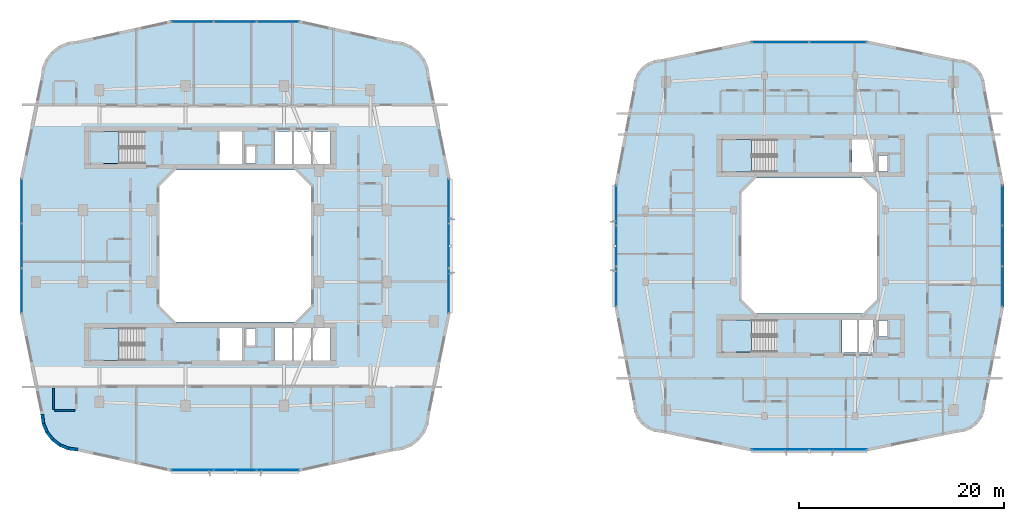
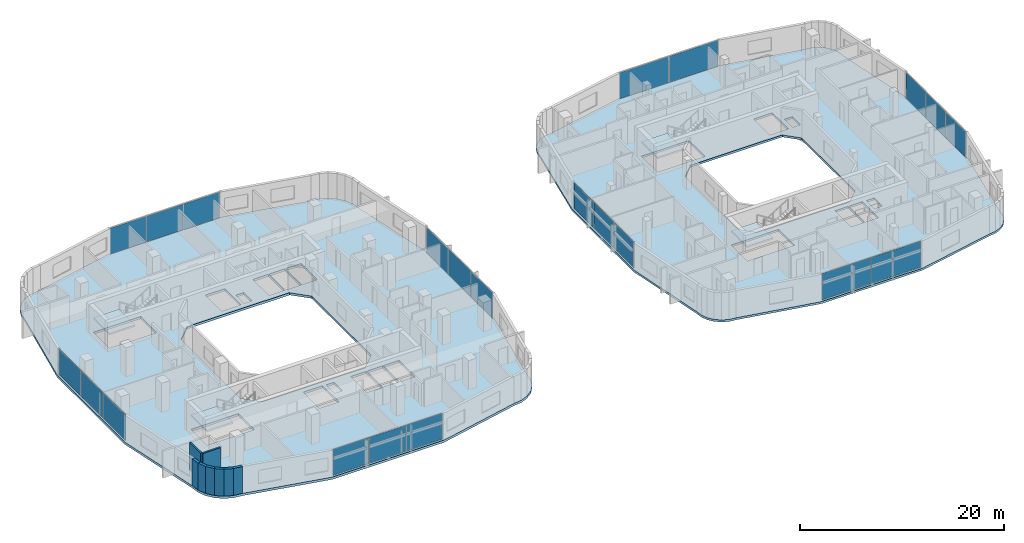
# One storey, part 12 of 27: 22 plates, 8 walls, 6 slabs, 12 elements without a shape of their own.
"""IFC4 building model written with IfcOpenShell, lengths in metres."""

from ifc_helpers import new_model, si_unit, derived_unit, direction, frame, frame_2d, origin, origin_2d, place, context, subcontext, project, spatial, polyline, rectangle, outline, extrude, material, layer, layer_set, type_object, element, aggregate, save


model = new_model("IFC4")

# Units and contexts
model_context = context("Model", 3, precision=1e-05, world=origin(), true_north=direction((0.0, 1.0)))
body_context = subcontext(model_context, "Body", "Model", "MODEL_VIEW")
ifc_project = project(units=[si_unit("LENGTHUNIT", "METRE"), si_unit("AREAUNIT", "SQUARE_METRE"), si_unit("VOLUMEUNIT", "CUBIC_METRE"), si_unit("PLANEANGLEUNIT", "RADIAN"), si_unit("MASSUNIT", "GRAM", prefix="KILO"), derived_unit("THERMALTRANSMITTANCEUNIT", [(si_unit("POWERUNIT", "WATT"), 1), (si_unit("LENGTHUNIT", "METRE"), -2), (si_unit("THERMODYNAMICTEMPERATUREUNIT", "KELVIN"), -1)])], contexts=[model_context])

# Site, building, storey
site_placement = place(None, origin())
site = spatial("IfcSite", under=ifc_project, at=site_placement, CompositionType="ELEMENT")
building_placement = place(site_placement, origin())
building = spatial("IfcBuilding", under=site, at=building_placement, Name="Kivonza Crest Hotel", CompositionType="ELEMENT")
storey_placement = place(building_placement, frame((0.0, 0.0, 76.5)))
storey = spatial("IfcBuildingStorey", under=building, at=storey_placement, Name="L20", CompositionType="ELEMENT", Elevation=76.5)

# Curtain wall, plates
ifc_material_1 = material(Name="Anodised bronze aluminium and low-E double glazing", Category="aluminium")
ifc_layer_1 = layer(ifc_material_1, 0.179931640625)
ifc_layer_set_1 = layer_set([ifc_layer_1], Name="Anodised bronze aluminium and low-E double glazing")
curtain_wall_type_1 = type_object("IfcCurtainWallType", Name="CW-SYS-2", PredefinedType="NOTDEFINED", material=ifc_layer_set_1)
curtain_wall_1_placement = place(storey_placement, origin())
curtain_wall_1 = element("IfcCurtainWall", 1, at=curtain_wall_1_placement, inside=storey, type_object=curtain_wall_type_1, Name="L20 unitised curtain wall CW-T1-L20-08", PredefinedType="NOTDEFINED")
ifc_material_2 = material(Name="Solar-control low-E double glazing", Category="glass")
ifc_layer_2 = layer(ifc_material_2, 0.028076171875)
ifc_layer_set_2 = layer_set([ifc_layer_2], Name="Solar-control low-E double glazing")
plate_type = type_object("IfcPlateType", Name="CW-PNL-28", PredefinedType="CURTAIN_PANEL", material=ifc_layer_set_2)
plate_1_placement = place(storey_placement, frame((16.890869140625, 3.159912109375, 0.06494140625), z_axis=(0.0, 0.0, 1.0), x_axis=(1.0, 0.0, 0.0)))
plate_1 = element("IfcPlate", 2, at=plate_1_placement, type_object=plate_type, Name="CW-2 panel 1.1", PredefinedType="CURTAIN_PANEL", context=body_context, shape_type="SweptSolid", body=[
    extrude(rectangle(XDim=4.06787109375, YDim=0.028076171875, at=origin_2d()), origin(), (0.0, 0.0, 1.0), 3.090087890625),
])
plate_2_placement = place(storey_placement, frame((21.0400390625, 3.159912109375, 0.06494140625), z_axis=(0.0, 0.0, 1.0), x_axis=(1.0, 0.0, 0.0)))
plate_2 = element("IfcPlate", 3, at=plate_2_placement, type_object=plate_type, Name="CW-2 panel 2.1", PredefinedType="CURTAIN_PANEL", context=body_context, shape_type="SweptSolid", body=[
    extrude(rectangle(XDim=4.100341796875, YDim=0.028076171875, at=origin_2d()), origin(), (0.0, 0.0, 1.0), 3.090087890625),
])
plate_3_placement = place(storey_placement, frame((25.18896484375, 3.159912109375, 0.06494140625), z_axis=(0.0, 0.0, 1.0), x_axis=(1.0, 0.0, 0.0)))
plate_3 = element("IfcPlate", 4, at=plate_3_placement, type_object=plate_type, Name="CW-2 panel 3.1", PredefinedType="CURTAIN_PANEL", context=body_context, shape_type="SweptSolid", body=[
    extrude(rectangle(XDim=4.06787109375, YDim=0.028076171875, at=origin_2d()), origin(), (0.0, 0.0, 1.0), 3.090087890625),
])
aggregate(curtain_wall_1, [plate_1, plate_2, plate_3])

curtain_wall_2_placement = place(storey_placement, origin())
curtain_wall_2 = element("IfcCurtainWall", 5, at=curtain_wall_2_placement, inside=storey, type_object=curtain_wall_type_1, Name="L20 unitised curtain wall CW-T1-L20-17", PredefinedType="NOTDEFINED")
plate_4_placement = place(storey_placement, frame((41.840087890625, 20.642822265625, 0.06494140625), z_axis=(0.0, 0.0, 1.0), x_axis=(0.0, 1.0, 0.0)))
plate_4 = element("IfcPlate", 6, at=plate_4_placement, type_object=plate_type, Name="CW-2 panel 1.1", PredefinedType="CURTAIN_PANEL", context=body_context, shape_type="SweptSolid", body=[
    extrude(rectangle(XDim=4.27587890625, YDim=0.028076171875, at=origin_2d()), origin(), (0.0, 0.0, 1.0), 3.090087890625),
])
plate_5_placement = place(storey_placement, frame((41.840087890625, 25.0, 0.06494140625), z_axis=(0.0, 0.0, 1.0), x_axis=(0.0, 1.0, 0.0)))
plate_5 = element("IfcPlate", 7, at=plate_5_placement, type_object=plate_type, Name="CW-2 panel 2.1", PredefinedType="CURTAIN_PANEL", context=body_context, shape_type="SweptSolid", body=[
    extrude(rectangle(XDim=4.308349609375, YDim=0.028076171875, at=origin_2d()), origin(), (0.0, 0.0, 1.0), 3.090087890625),
])
plate_6_placement = place(storey_placement, frame((41.840087890625, 29.357177734375, 0.06494140625), z_axis=(0.0, 0.0, 1.0), x_axis=(0.0, 1.0, 0.0)))
plate_6 = element("IfcPlate", 8, at=plate_6_placement, type_object=plate_type, Name="CW-2 panel 3.1", PredefinedType="CURTAIN_PANEL", context=body_context, shape_type="SweptSolid", body=[
    extrude(rectangle(XDim=4.27587890625, YDim=0.028076171875, at=origin_2d()), origin(), (0.0, 0.0, 1.0), 3.090087890625),
])
aggregate(curtain_wall_2, [plate_4, plate_5, plate_6])

curtain_wall_3_placement = place(storey_placement, origin())
curtain_wall_3 = element("IfcCurtainWall", 9, at=curtain_wall_3_placement, inside=storey, type_object=curtain_wall_type_1, Name="L20 unitised curtain wall CW-T1-L20-26", PredefinedType="NOTDEFINED")
plate_7_placement = place(storey_placement, frame((25.18896484375, 46.840087890625, 0.06494140625), z_axis=(0.0, 0.0, 1.0), x_axis=(-1.0, 0.0, 0.0)))
plate_7 = element("IfcPlate", 10, at=plate_7_placement, type_object=plate_type, Name="CW-2 panel 1.1", PredefinedType="CURTAIN_PANEL", context=body_context, shape_type="SweptSolid", body=[
    extrude(rectangle(XDim=4.06787109375, YDim=0.028076171875, at=origin_2d()), origin(), (0.0, 0.0, 1.0), 3.090087890625),
])
plate_8_placement = place(storey_placement, frame((21.0400390625, 46.840087890625, 0.06494140625), z_axis=(0.0, 0.0, 1.0), x_axis=(-1.0, 0.0, 0.0)))
plate_8 = element("IfcPlate", 11, at=plate_8_placement, type_object=plate_type, Name="CW-2 panel 2.1", PredefinedType="CURTAIN_PANEL", context=body_context, shape_type="SweptSolid", body=[
    extrude(rectangle(XDim=4.100341796875, YDim=0.028076171875, at=origin_2d()), origin(), (0.0, 0.0, 1.0), 3.090087890625),
])
plate_9_placement = place(storey_placement, frame((16.890869140625, 46.840087890625, 0.06494140625), z_axis=(0.0, 0.0, 1.0), x_axis=(-1.0, 0.0, 0.0)))
plate_9 = element("IfcPlate", 12, at=plate_9_placement, type_object=plate_type, Name="CW-2 panel 3.1", PredefinedType="CURTAIN_PANEL", context=body_context, shape_type="SweptSolid", body=[
    extrude(rectangle(XDim=4.06787109375, YDim=0.028076171875, at=origin_2d()), origin(), (0.0, 0.0, 1.0), 3.090087890625),
])
aggregate(curtain_wall_3, [plate_7, plate_8, plate_9])

curtain_wall_4_placement = place(storey_placement, origin())
curtain_wall_4 = element("IfcCurtainWall", 13, at=curtain_wall_4_placement, inside=storey, type_object=curtain_wall_type_1, Name="L20 unitised curtain wall CW-T1-L20-35", PredefinedType="NOTDEFINED")
plate_10_placement = place(storey_placement, frame((0.239990234375, 29.357177734375, 0.06494140625), z_axis=(0.0, 0.0, 1.0), x_axis=(0.0, -1.0, 0.0)))
plate_10 = element("IfcPlate", 14, at=plate_10_placement, type_object=plate_type, Name="CW-2 panel 1.1", PredefinedType="CURTAIN_PANEL", context=body_context, shape_type="SweptSolid", body=[
    extrude(rectangle(XDim=4.27587890625, YDim=0.028076171875, at=origin_2d()), origin(), (0.0, 0.0, 1.0), 3.090087890625),
])
plate_11_placement = place(storey_placement, frame((0.239990234375, 25.0, 0.06494140625), z_axis=(0.0, 0.0, 1.0), x_axis=(0.0, -1.0, 0.0)))
plate_11 = element("IfcPlate", 15, at=plate_11_placement, type_object=plate_type, Name="CW-2 panel 2.1", PredefinedType="CURTAIN_PANEL", context=body_context, shape_type="SweptSolid", body=[
    extrude(rectangle(XDim=4.308349609375, YDim=0.028076171875, at=origin_2d()), origin(), (0.0, 0.0, 1.0), 3.090087890625),
])
plate_12_placement = place(storey_placement, frame((0.239990234375, 20.642822265625, 0.06494140625), z_axis=(0.0, 0.0, 1.0), x_axis=(0.0, -1.0, 0.0)))
plate_12 = element("IfcPlate", 16, at=plate_12_placement, type_object=plate_type, Name="CW-2 panel 3.1", PredefinedType="CURTAIN_PANEL", context=body_context, shape_type="SweptSolid", body=[
    extrude(rectangle(XDim=4.27587890625, YDim=0.028076171875, at=origin_2d()), origin(), (0.0, 0.0, 1.0), 3.090087890625),
])
aggregate(curtain_wall_4, [plate_10, plate_11, plate_12])

ifc_layer_3 = layer(ifc_material_1, 0.179931640625)
ifc_layer_set_3 = layer_set([ifc_layer_3], Name="Anodised bronze aluminium and low-E double glazing")
curtain_wall_type_2 = type_object("IfcCurtainWallType", Name="CW-SYS-4", PredefinedType="NOTDEFINED", material=ifc_layer_set_3)
curtain_wall_5_placement = place(storey_placement, origin())
curtain_wall_5 = element("IfcCurtainWall", 17, at=curtain_wall_5_placement, inside=storey, type_object=curtain_wall_type_2, Name="L20 unitised curtain wall CW-T2-L20-08", PredefinedType="NOTDEFINED")
plate_13_placement = place(storey_placement, frame((74.15234375, 5.159912109375, 0.06494140625), z_axis=(0.0, 0.0, 1.0), x_axis=(1.0, 0.0, 0.0)))
plate_13 = element("IfcPlate", 18, at=plate_13_placement, type_object=plate_type, Name="CW-4 panel 1.1", PredefinedType="CURTAIN_PANEL", context=body_context, shape_type="SweptSolid", body=[
    extrude(rectangle(XDim=5.550537109375, YDim=0.028076171875, at=origin_2d()), origin(), (0.0, 0.0, 1.0), 3.1201171875),
])
plate_14_placement = place(storey_placement, frame((79.767822265625, 5.159912109375, 0.06494140625), z_axis=(0.0, 0.0, 1.0), x_axis=(1.0, 0.0, 0.0)))
plate_14 = element("IfcPlate", 19, at=plate_14_placement, type_object=plate_type, Name="CW-4 panel 2.1", PredefinedType="CURTAIN_PANEL", context=body_context, shape_type="SweptSolid", body=[
    extrude(rectangle(XDim=5.550537109375, YDim=0.028076171875, at=origin_2d()), origin(), (0.0, 0.0, 1.0), 3.1201171875),
])
aggregate(curtain_wall_5, [plate_13, plate_14])

curtain_wall_6_placement = place(storey_placement, origin())
curtain_wall_6 = element("IfcCurtainWall", 20, at=curtain_wall_6_placement, inside=storey, type_object=curtain_wall_type_2, Name="L20 unitised curtain wall CW-T2-L20-17", PredefinedType="NOTDEFINED")
plate_15_placement = place(storey_placement, frame((95.760009765625, 21.04296875, 0.06494140625), z_axis=(0.0, 0.0, 1.0), x_axis=(0.0, 1.0, 0.0)))
plate_15 = element("IfcPlate", 21, at=plate_15_placement, type_object=plate_type, Name="CW-4 panel 1.1", PredefinedType="CURTAIN_PANEL", context=body_context, shape_type="SweptSolid", body=[
    extrude(rectangle(XDim=3.875732421875, YDim=0.028076171875, at=origin_2d()), origin(), (0.0, 0.0, 1.0), 3.1201171875),
])
plate_16_placement = place(storey_placement, frame((95.760009765625, 25.0, 0.06494140625), z_axis=(0.0, 0.0, 1.0), x_axis=(0.0, 1.0, 0.0)))
plate_16 = element("IfcPlate", 22, at=plate_16_placement, type_object=plate_type, Name="CW-4 panel 2.1", PredefinedType="CURTAIN_PANEL", context=body_context, shape_type="SweptSolid", body=[
    extrude(rectangle(XDim=3.908447265625, YDim=0.028076171875, at=origin_2d()), origin(), (0.0, 0.0, 1.0), 3.1201171875),
])
plate_17_placement = place(storey_placement, frame((95.760009765625, 28.95703125, 0.06494140625), z_axis=(0.0, 0.0, 1.0), x_axis=(0.0, 1.0, 0.0)))
plate_17 = element("IfcPlate", 23, at=plate_17_placement, type_object=plate_type, Name="CW-4 panel 3.1", PredefinedType="CURTAIN_PANEL", context=body_context, shape_type="SweptSolid", body=[
    extrude(rectangle(XDim=3.875732421875, YDim=0.028076171875, at=origin_2d()), origin(), (0.0, 0.0, 1.0), 3.1201171875),
])
aggregate(curtain_wall_6, [plate_15, plate_16, plate_17])

curtain_wall_7_placement = place(storey_placement, origin())
curtain_wall_7 = element("IfcCurtainWall", 24, at=curtain_wall_7_placement, inside=storey, type_object=curtain_wall_type_2, Name="L20 unitised curtain wall CW-T2-L20-26", PredefinedType="NOTDEFINED")
plate_18_placement = place(storey_placement, frame((79.767822265625, 44.840087890625, 0.06494140625), z_axis=(0.0, 0.0, 1.0), x_axis=(-1.0, 0.0, 0.0)))
plate_18 = element("IfcPlate", 25, at=plate_18_placement, type_object=plate_type, Name="CW-4 panel 1.1", PredefinedType="CURTAIN_PANEL", context=body_context, shape_type="SweptSolid", body=[
    extrude(rectangle(XDim=5.550537109375, YDim=0.028076171875, at=origin_2d()), origin(), (0.0, 0.0, 1.0), 3.1201171875),
])
plate_19_placement = place(storey_placement, frame((74.15234375, 44.840087890625, 0.06494140625), z_axis=(0.0, 0.0, 1.0), x_axis=(-1.0, 0.0, 0.0)))
plate_19 = element("IfcPlate", 26, at=plate_19_placement, type_object=plate_type, Name="CW-4 panel 2.1", PredefinedType="CURTAIN_PANEL", context=body_context, shape_type="SweptSolid", body=[
    extrude(rectangle(XDim=5.550537109375, YDim=0.028076171875, at=origin_2d()), origin(), (0.0, 0.0, 1.0), 3.1201171875),
])
aggregate(curtain_wall_7, [plate_18, plate_19])

curtain_wall_8_placement = place(storey_placement, origin())
curtain_wall_8 = element("IfcCurtainWall", 27, at=curtain_wall_8_placement, inside=storey, type_object=curtain_wall_type_2, Name="L20 unitised curtain wall CW-T2-L20-35", PredefinedType="NOTDEFINED")
plate_20_placement = place(storey_placement, frame((58.159912109375, 28.95703125, 0.06494140625), z_axis=(0.0, 0.0, 1.0), x_axis=(0.0, -1.0, 0.0)))
plate_20 = element("IfcPlate", 28, at=plate_20_placement, type_object=plate_type, Name="CW-4 panel 1.1", PredefinedType="CURTAIN_PANEL", context=body_context, shape_type="SweptSolid", body=[
    extrude(rectangle(XDim=3.875732421875, YDim=0.028076171875, at=origin_2d()), origin(), (0.0, 0.0, 1.0), 3.1201171875),
])
plate_21_placement = place(storey_placement, frame((58.159912109375, 25.0, 0.06494140625), z_axis=(0.0, 0.0, 1.0), x_axis=(0.0, -1.0, 0.0)))
plate_21 = element("IfcPlate", 29, at=plate_21_placement, type_object=plate_type, Name="CW-4 panel 2.1", PredefinedType="CURTAIN_PANEL", context=body_context, shape_type="SweptSolid", body=[
    extrude(rectangle(XDim=3.908447265625, YDim=0.028076171875, at=origin_2d()), origin(), (0.0, 0.0, 1.0), 3.1201171875),
])
plate_22_placement = place(storey_placement, frame((58.159912109375, 21.04296875, 0.06494140625), z_axis=(0.0, 0.0, 1.0), x_axis=(0.0, -1.0, 0.0)))
plate_22 = element("IfcPlate", 30, at=plate_22_placement, type_object=plate_type, Name="CW-4 panel 3.1", PredefinedType="CURTAIN_PANEL", context=body_context, shape_type="SweptSolid", body=[
    extrude(rectangle(XDim=3.875732421875, YDim=0.028076171875, at=origin_2d()), origin(), (0.0, 0.0, 1.0), 3.1201171875),
])
aggregate(curtain_wall_8, [plate_20, plate_21, plate_22])

# Slab
ifc_material_3 = material(Name="Concrete C40/50", Category="concrete")
ifc_layer_4 = layer(ifc_material_3, 0.280029296875)
ifc_layer_set_4 = layer_set([ifc_layer_4], Name="Concrete C40/50")
slab_type_1 = type_object("IfcSlabType", Name="SL-HTL-280", PredefinedType="FLOOR", material=ifc_layer_set_4)
slab_1_placement = place(storey_placement, frame((0.0, 0.0, -0.280029296875)))
element("IfcSlab", 31, at=slab_1_placement, inside=storey, type_object=slab_type_1, Name="Tower T1 L20 floor slab", PredefinedType="FLOOR", context=body_context, shape_type="SweptSolid", body=[
    extrude(outline(polyline([(2.080078125, 8.60009765625), (2.202880859375, 7.66796875), (2.56201171875, 6.800048828125), (3.134033203125, 6.053955078125), (3.8798828125, 5.48193359375), (4.748046875, 5.123046875), (5.679931640625, 5.0), (14.751953125, 3.0), (27.327880859375, 3.0), (36.39990234375, 5.0), (37.33203125, 5.123046875), (38.199951171875, 5.48193359375), (38.946044921875, 6.053955078125), (39.51806640625, 6.800048828125), (39.876953125, 7.66796875), (40.0, 8.60009765625), (42.0, 18.39990234375), (42.0, 31.60009765625), (40.0, 41.39990234375), (39.876953125, 42.33203125), (39.51806640625, 43.199951171875), (38.946044921875, 43.946044921875), (38.199951171875, 44.51806640625), (37.33203125, 44.876953125), (36.39990234375, 45.0), (27.327880859375, 47.0), (14.751953125, 47.0), (5.679931640625, 45.0), (4.748046875, 44.876953125), (3.8798828125, 44.51806640625), (3.134033203125, 43.946044921875), (2.56201171875, 43.199951171875), (2.202880859375, 42.33203125), (2.080078125, 41.39990234375), (0.080078125, 31.60009765625), (0.080078125, 18.39990234375), (2.080078125, 8.60009765625)]), holes=[polyline([(15.239990234375, 17.60009765625), (26.840087890625, 17.60009765625), (28.43994140625, 19.199951171875), (28.43994140625, 30.800048828125), (26.840087890625, 32.39990234375), (15.239990234375, 32.39990234375), (13.639892578125, 30.800048828125), (13.639892578125, 19.199951171875), (15.239990234375, 17.60009765625)]), polyline([(6.800048828125, 33.02001953125), (12.159912109375, 33.02001953125), (12.159912109375, 36.159912109375), (6.800048828125, 36.159912109375), (6.800048828125, 33.02001953125)]), polyline([(6.800048828125, 13.860107421875), (12.159912109375, 13.860107421875), (12.159912109375, 17.0), (6.800048828125, 17.0), (6.800048828125, 13.860107421875)]), polyline([(22.080078125, 33.0400390625), (22.969970703125, 33.0400390625), (22.969970703125, 34.679931640625), (22.080078125, 34.679931640625), (22.080078125, 33.0400390625)]), polyline([(22.080078125, 15.320068359375), (22.969970703125, 15.320068359375), (22.969970703125, 16.9599609375), (22.080078125, 16.9599609375), (22.080078125, 15.320068359375)]), polyline([(19.5, 33.0), (21.699951171875, 33.0), (21.699951171875, 36.159912109375), (19.5, 36.159912109375), (19.5, 33.0)]), polyline([(24.860107421875, 33.0), (26.60693359375, 33.0), (26.60693359375, 36.159912109375), (24.860107421875, 36.159912109375), (24.860107421875, 33.0)]), polyline([(26.72705078125, 33.0), (28.472900390625, 33.0), (28.472900390625, 36.159912109375), (26.72705078125, 36.159912109375), (26.72705078125, 33.0)]), polyline([(28.593017578125, 33.0), (30.340087890625, 33.0), (30.340087890625, 36.159912109375), (28.593017578125, 36.159912109375), (28.593017578125, 33.0)]), polyline([(19.5, 13.840087890625), (21.699951171875, 13.840087890625), (21.699951171875, 17.0), (19.5, 17.0), (19.5, 13.840087890625)]), polyline([(24.860107421875, 13.840087890625), (26.60693359375, 13.840087890625), (26.60693359375, 17.0), (24.860107421875, 17.0), (24.860107421875, 13.840087890625)]), polyline([(26.72705078125, 13.840087890625), (28.472900390625, 13.840087890625), (28.472900390625, 17.0), (26.72705078125, 17.0), (26.72705078125, 13.840087890625)]), polyline([(28.593017578125, 13.840087890625), (30.340087890625, 13.840087890625), (30.340087890625, 17.0), (28.593017578125, 17.0), (28.593017578125, 13.840087890625)])]), origin(), (0.0, 0.0, 1.0), 0.280029296875),
])

# Stair, slab
stair_type = type_object("IfcStairType", Name="ST-DL-20R", PredefinedType="HALF_TURN_STAIR", material=ifc_material_3)
stair_1_placement = place(storey_placement, origin())
stair_1 = element("IfcStair", 32, at=stair_1_placement, inside=storey, type_object=stair_type, Name="L20 Protected Exit Stair ST-T1-N", PredefinedType="HALF_TURN_STAIR")
ifc_layer_5 = layer(ifc_material_3, 0.199951171875)
ifc_layer_set_5 = layer_set([ifc_layer_5], Name="Concrete C40/50")
slab_type_2 = type_object("IfcSlabType", Name="SL-LAND-200", PredefinedType="LANDING", material=ifc_layer_set_5)
slab_2_placement = place(storey_placement, frame((0.0, 0.0, 1.550048828125)))
slab_2 = element("IfcSlab", 33, at=slab_2_placement, type_object=slab_type_2, Name="ST-T1-N landing 1", PredefinedType="LANDING", context=body_context, shape_type="SweptSolid", body=[
    extrude(outline(polyline([(9.719970703125, 36.159912109375), (6.800048828125, 36.159912109375), (6.800048828125, 33.02001953125), (9.719970703125, 33.02001953125), (9.719970703125, 36.159912109375)])), origin(), (0.0, 0.0, 1.0), 0.199951171875),
])
aggregate(stair_1, [slab_2])

stair_2_placement = place(storey_placement, origin())
stair_2 = element("IfcStair", 34, at=stair_2_placement, inside=storey, type_object=stair_type, Name="L20 Protected Exit Stair ST-T1-S", PredefinedType="HALF_TURN_STAIR")
slab_3_placement = place(storey_placement, frame((0.0, 0.0, 1.550048828125)))
slab_3 = element("IfcSlab", 35, at=slab_3_placement, type_object=slab_type_2, Name="ST-T1-S landing 1", PredefinedType="LANDING", context=body_context, shape_type="SweptSolid", body=[
    extrude(outline(polyline([(9.719970703125, 17.0), (6.800048828125, 17.0), (6.800048828125, 13.860107421875), (9.719970703125, 13.860107421875), (9.719970703125, 17.0)])), origin(), (0.0, 0.0, 1.0), 0.199951171875),
])
aggregate(stair_2, [slab_3])

stair_3_placement = place(storey_placement, origin())
stair_3 = element("IfcStair", 36, at=stair_3_placement, inside=storey, type_object=stair_type, Name="L20 Protected Exit Stair ST-T2-N", PredefinedType="HALF_TURN_STAIR")
slab_4_placement = place(storey_placement, frame((0.0, 0.0, 1.550048828125)))
slab_4 = element("IfcSlab", 37, at=slab_4_placement, type_object=slab_type_2, Name="ST-T2-N landing 1", PredefinedType="LANDING", context=body_context, shape_type="SweptSolid", body=[
    extrude(outline(polyline([(71.320068359375, 35.360107421875), (68.39990234375, 35.360107421875), (68.39990234375, 32.219970703125), (71.320068359375, 32.219970703125), (71.320068359375, 35.360107421875)])), origin(), (0.0, 0.0, 1.0), 0.199951171875),
])
aggregate(stair_3, [slab_4])

stair_4_placement = place(storey_placement, origin())
stair_4 = element("IfcStair", 38, at=stair_4_placement, inside=storey, type_object=stair_type, Name="L20 Protected Exit Stair ST-T2-S", PredefinedType="HALF_TURN_STAIR")
slab_5_placement = place(storey_placement, frame((0.0, 0.0, 1.550048828125)))
slab_5 = element("IfcSlab", 39, at=slab_5_placement, type_object=slab_type_2, Name="ST-T2-S landing 1", PredefinedType="LANDING", context=body_context, shape_type="SweptSolid", body=[
    extrude(outline(polyline([(71.320068359375, 17.800048828125), (68.39990234375, 17.800048828125), (68.39990234375, 14.659912109375), (71.320068359375, 14.659912109375), (71.320068359375, 17.800048828125)])), origin(), (0.0, 0.0, 1.0), 0.199951171875),
])
aggregate(stair_4, [slab_5])

# Slab
ifc_layer_6 = layer(ifc_material_3, 0.25)
ifc_layer_set_6 = layer_set([ifc_layer_6], Name="Concrete C40/50")
slab_type_3 = type_object("IfcSlabType", Name="SL-RES-250", PredefinedType="FLOOR", material=ifc_layer_set_6)
slab_6_placement = place(storey_placement, frame((0.0, 0.0, -0.25)))
element("IfcSlab", 40, at=slab_6_placement, inside=storey, type_object=slab_type_3, Name="Companion Tower T2 L20 floor slab", PredefinedType="FLOOR", context=body_context, shape_type="SweptSolid", body=[
    extrude(outline(polyline([(59.800048828125, 9.60009765625), (59.89501953125, 8.875), (60.175048828125, 8.199951171875), (60.6201171875, 7.6201171875), (61.199951171875, 7.175048828125), (61.875, 6.89501953125), (62.60009765625, 6.800048828125), (71.27197265625, 5.0), (82.64794921875, 5.0), (91.320068359375, 6.800048828125), (92.044921875, 6.89501953125), (92.719970703125, 7.175048828125), (93.300048828125, 7.6201171875), (93.7451171875, 8.199951171875), (94.02490234375, 8.875), (94.1201171875, 9.60009765625), (95.919921875, 19.0), (95.919921875, 31.0), (94.1201171875, 40.39990234375), (94.02490234375, 41.125), (93.7451171875, 41.800048828125), (93.300048828125, 42.3798828125), (92.719970703125, 42.824951171875), (92.044921875, 43.10498046875), (91.320068359375, 43.199951171875), (82.64794921875, 45.0), (71.27197265625, 45.0), (62.60009765625, 43.199951171875), (61.875, 43.10498046875), (61.199951171875, 42.824951171875), (60.6201171875, 42.3798828125), (60.175048828125, 41.800048828125), (59.89501953125, 41.125), (59.800048828125, 40.39990234375), (58.0, 31.0), (58.0, 19.0), (59.800048828125, 9.60009765625)]), holes=[polyline([(71.760009765625, 18.39990234375), (82.159912109375, 18.39990234375), (83.56005859375, 19.800048828125), (83.56005859375, 30.199951171875), (82.159912109375, 31.60009765625), (71.760009765625, 31.60009765625), (70.360107421875, 30.199951171875), (70.360107421875, 19.800048828125), (71.760009765625, 18.39990234375)]), polyline([(68.39990234375, 32.219970703125), (73.760009765625, 32.219970703125), (73.760009765625, 35.360107421875), (68.39990234375, 35.360107421875), (68.39990234375, 32.219970703125)]), polyline([(68.39990234375, 14.659912109375), (73.760009765625, 14.659912109375), (73.760009765625, 17.800048828125), (68.39990234375, 17.800048828125), (68.39990234375, 14.659912109375)]), polyline([(83.679931640625, 32.239990234375), (84.570068359375, 32.239990234375), (84.570068359375, 33.820068359375), (83.679931640625, 33.820068359375), (83.679931640625, 32.239990234375)]), polyline([(83.679931640625, 16.179931640625), (84.570068359375, 16.179931640625), (84.570068359375, 17.760009765625), (83.679931640625, 17.760009765625), (83.679931640625, 16.179931640625)]), polyline([(81.10009765625, 32.199951171875), (83.199951171875, 32.199951171875), (83.199951171875, 35.360107421875), (81.10009765625, 35.360107421875), (81.10009765625, 32.199951171875)]), polyline([(80.159912109375, 14.639892578125), (81.639892578125, 14.639892578125), (81.639892578125, 17.800048828125), (80.159912109375, 17.800048828125), (80.159912109375, 14.639892578125)]), polyline([(81.760009765625, 14.639892578125), (83.239990234375, 14.639892578125), (83.239990234375, 17.800048828125), (81.760009765625, 17.800048828125), (81.760009765625, 14.639892578125)])]), origin(), (0.0, 0.0, 1.0), 0.25),
])

# Walls
ifc_material_4 = material(Name="Precast concrete C40/50", Category="concrete")
ifc_layer_7 = layer(ifc_material_4, 0.300048828125)
ifc_layer_set_7 = layer_set([ifc_layer_7], Name="Precast concrete C40/50")
wall_type_1 = type_object("IfcWallType", Name="WL-EXT-300", PredefinedType="STANDARD", material=ifc_layer_set_7)
wall_1_placement = place(storey_placement, frame((2.22802734375, 8.6279296875, 0.0), z_axis=(0.0, 0.0, 1.0), x_axis=(0.131174864804, -0.991359246108, 0.0)))
element("IfcWall", 41, at=wall_1_placement, inside=storey, type_object=wall_type_1, Name="L20 T1 exterior insulated wall 1", PredefinedType="STANDARD", context=body_context, shape_type="SweptSolid", body=[
    extrude(rectangle(XDim=0.93798828125, YDim=0.300048828125, at=frame_2d((0.468994140625, 0.0))), origin(), (0.0, 0.0, 1.0), 3.219970703125),
])
wall_2_placement = place(storey_placement, frame((2.33203125, 7.748046875, 0.0), z_axis=(0.0, 0.0, 1.0), x_axis=(0.382344263057, -0.924019948111, 0.0)))
element("IfcWall", 42, at=wall_2_placement, inside=storey, type_object=wall_type_1, Name="L20 T1 exterior insulated wall 2", PredefinedType="STANDARD", context=body_context, shape_type="SweptSolid", body=[
    extrude(rectangle(XDim=0.95458984375, YDim=0.300048828125, at=frame_2d((0.477294921875, 0.0))), origin(), (0.0, 0.0, 1.0), 3.219970703125),
])
for number, where, z_axis, x_axis, name in (
    (43, (2.666015625, 6.910888671875, 0.0), (0.0, 0.0, 1.0), (0.608474481025, -0.793573440799, 0.0), "L20 T1 exterior insulated wall 3"),
    (44, (3.205078125, 6.18798828125, 0.0), (0.0, 0.0, 1.0), (0.793573440799, -0.608474481025, 0.0), "L20 T1 exterior insulated wall 4"),
):
    element("IfcWall", number, at=place(storey_placement, frame(where, z_axis=z_axis, x_axis=x_axis)), inside=storey, type_object=wall_type_1, Name=name, PredefinedType="STANDARD", context=body_context, shape_type="SweptSolid", body=[
        extrude(rectangle(XDim=0.954833984375, YDim=0.300048828125, at=frame_2d((0.4775390625, 0.0))), origin(), (0.0, 0.0, 1.0), 3.219970703125),
    ])
wall_3_placement = place(storey_placement, frame((3.9140625, 5.631103515625, 0.0), z_axis=(0.0, 0.0, 1.0), x_axis=(0.923982547689, -0.382434636986, 0.0)))
element("IfcWall", 45, at=wall_3_placement, inside=storey, type_object=wall_type_1, Name="L20 T1 exterior insulated wall 5", PredefinedType="STANDARD", context=body_context, shape_type="SweptSolid", body=[
    extrude(rectangle(XDim=0.954345703125, YDim=0.300048828125, at=frame_2d((0.47705078125, 0.0))), origin(), (0.0, 0.0, 1.0), 3.219970703125),
])
wall_4_placement = place(storey_placement, frame((4.742919921875, 5.27490234375, 0.0), z_axis=(0.0, 0.0, 1.0), x_axis=(0.99145856342, -0.130422072598, 0.0)))
element("IfcWall", 46, at=wall_4_placement, inside=storey, type_object=wall_type_1, Name="L20 T1 exterior insulated wall 6", PredefinedType="STANDARD", context=body_context, shape_type="SweptSolid", body=[
    extrude(rectangle(XDim=0.973388671875, YDim=0.300048828125, at=frame_2d((0.48681640625, 0.0))), origin(), (0.0, 0.0, 1.0), 3.219970703125),
])
ifc_material_5 = material(Name="Moisture-resistant plumbing chase partition wall", Category="gypsum")
ifc_layer_8 = layer(ifc_material_5, 0.199951171875)
ifc_layer_set_8 = layer_set([ifc_layer_8], Name="Moisture-resistant plumbing chase partition wall")
wall_type_2 = type_object("IfcWallType", Name="WL-PLUMB-200", PredefinedType="PLUMBINGWALL", material=ifc_layer_set_8)
wall_5_placement = place(storey_placement, frame((3.449951171875, 8.949951171875, 0.0), z_axis=(0.0, 0.0, 1.0), x_axis=(1.0, 0.0, 0.0)))
element("IfcWall", 47, at=wall_5_placement, inside=storey, type_object=wall_type_2, Name="L20 interior partition WW-L20-S02-BH", PredefinedType="PLUMBINGWALL", context=body_context, shape_type="SweptSolid", body=[
    extrude(rectangle(XDim=2.0, YDim=0.199951171875, at=frame_2d((1.0, 0.0))), origin(), (0.0, 0.0, 1.0), 3.219970703125),
])
wall_6_placement = place(storey_placement, frame((3.35009765625, 9.050048828125, 0.0), z_axis=(0.0, 0.0, 1.0), x_axis=(0.0, 1.0, 0.0)))
element("IfcWall", 48, at=wall_6_placement, inside=storey, type_object=wall_type_2, Name="L20 interior partition WW-L20-S02-BVW", PredefinedType="PLUMBINGWALL", context=body_context, shape_type="SweptSolid", body=[
    extrude(rectangle(XDim=2.099853515625, YDim=0.199951171875, at=frame_2d((1.0498046875, 0.0))), origin(), (0.0, 0.0, 1.0), 3.219970703125),
])

save(model, "model.ifc")
